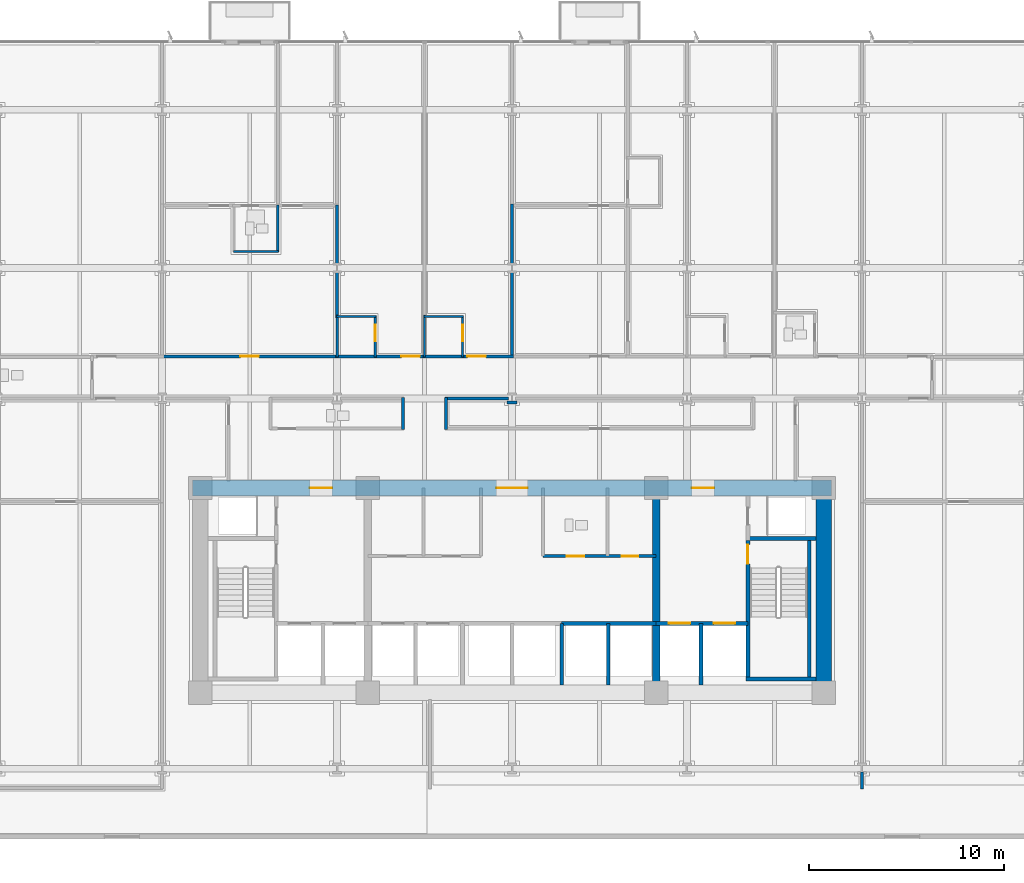
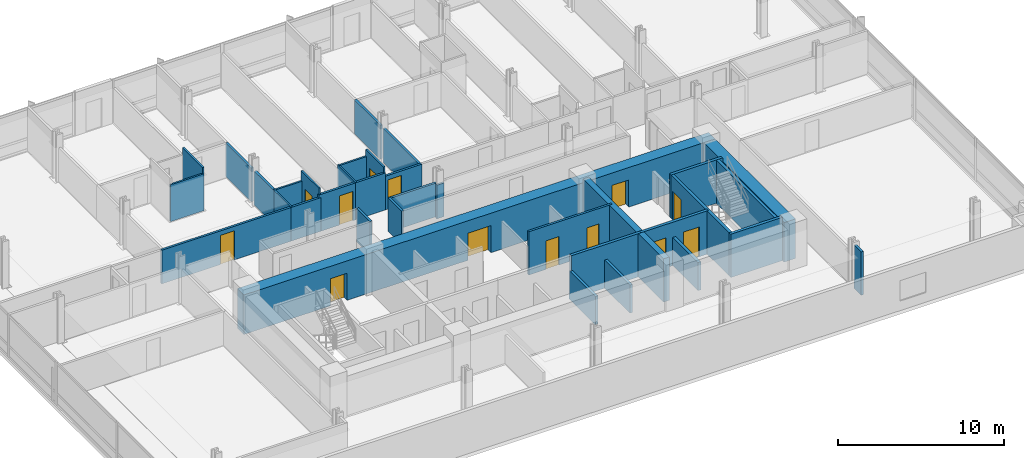
# One storey, part 9 of 15: 35 walls, 13 doors, 13 openings.
"""IFC4 building model written with IfcOpenShell, lengths in metres."""

from ifc_helpers import new_model, si_unit, direction, frame, frame_2d, origin, place, context, subcontext, project, spatial, rectangle, extrude, material, layer, layer_set, type_object, element, fill, save


model = new_model("IFC4")

# Units and contexts
model_context = context("Model", 3, precision=1e-05, world=origin(), true_north=direction((0.0, 1.0)))
body_context = subcontext(model_context, "Body", "Model", "MODEL_VIEW")
ifc_project = project(units=[si_unit("LENGTHUNIT", "METRE"), si_unit("AREAUNIT", "SQUARE_METRE"), si_unit("VOLUMEUNIT", "CUBIC_METRE"), si_unit("PLANEANGLEUNIT", "RADIAN"), si_unit("MASSUNIT", "GRAM", prefix="KILO")], contexts=[model_context])

# Site, building, storey
site_placement = place(None, origin())
site = spatial("IfcSite", under=ifc_project, at=site_placement, CompositionType="ELEMENT")
building_placement = place(site_placement, origin())
building = spatial("IfcBuilding", under=site, at=building_placement, Name="Solmavex Isthmus Hotel", CompositionType="ELEMENT")
storey_placement = place(building_placement, frame((0.0, 0.0, 64.35009765625)))
storey = spatial("IfcBuildingStorey", under=building, at=storey_placement, Name="L17", CompositionType="ELEMENT", Elevation=64.35009765625)

# Walls
ifc_material_1 = material(Name="Gypsum plasterboard lining", Category="gypsum")
ifc_layer_1 = layer(ifc_material_1, 0.159912109375)
ifc_layer_set_1 = layer_set([ifc_layer_1], Name="Gypsum plasterboard lining")
wall_type_1 = type_object("IfcWallType", Name="IW-COMP-160", PredefinedType="PARTITIONING", material=ifc_layer_set_1)
wall_1_placement = place(storey_placement, frame((-8.97607421875, 8.613037109375, 0.0), z_axis=(0.0, 0.0, 1.0), x_axis=(0.0, -1.0, 0.0)))
element("IfcWall", 1, at=wall_1_placement, inside=storey, type_object=wall_type_1, Name="Interior Partition Wall W-L17-P046", PredefinedType="PARTITIONING", context=body_context, shape_type="SweptSolid", body=[
    extrude(rectangle(XDim=2.39501953125, YDim=0.159912109375, at=frame_2d((1.197509765625, 0.0))), origin(), (0.0, 0.0, 1.0), 2.4794921875),
])
wall_2_placement = place(storey_placement, frame((-8.97607421875, 12.028076171875, 0.0), z_axis=(0.0, 0.0, 1.0), x_axis=(0.0, -1.0, 0.0)))
element("IfcWall", 2, at=wall_2_placement, inside=storey, type_object=wall_type_1, Name="Interior Partition Wall W-L17-P047", PredefinedType="PARTITIONING", context=body_context, shape_type="SweptSolid", body=[
    extrude(rectangle(XDim=3.065185546875, YDim=0.159912109375, at=frame_2d((1.53271484375, 0.0))), origin(), (0.0, 0.0, 1.0), 2.4794921875),
])
wall_3_placement = place(storey_placement, frame((0.0, 8.613037109375, 0.0), z_axis=(0.0, 0.0, 1.0), x_axis=(0.0, -1.0, 0.0)))
element("IfcWall", 3, at=wall_3_placement, inside=storey, type_object=wall_type_1, Name="Interior Partition Wall W-L17-P059", PredefinedType="PARTITIONING", context=body_context, shape_type="SweptSolid", body=[
    extrude(rectangle(XDim=4.403076171875, YDim=0.159912109375, at=frame_2d((2.20166015625, 0.0))), origin(), (0.0, 0.0, 1.0), 2.4794921875),
])
wall_4_placement = place(storey_placement, frame((0.0, 12.070068359375, 0.0), z_axis=(0.0, 0.0, 1.0), x_axis=(0.0, -1.0, 0.0)))
element("IfcWall", 4, at=wall_4_placement, inside=storey, type_object=wall_type_1, Name="Interior Partition Wall W-L17-P060", PredefinedType="PARTITIONING", context=body_context, shape_type="SweptSolid", body=[
    extrude(rectangle(XDim=3.107177734375, YDim=0.159912109375, at=frame_2d((1.5537109375, 0.0))), origin(), (0.0, 0.0, 1.0), 2.4794921875),
])
wall_5_placement = place(storey_placement, frame((17.951904296875, -17.074951171875, 0.0), z_axis=(0.0, 0.0, 1.0), x_axis=(0.0, -1.0, 0.0)))
element("IfcWall", 5, at=wall_5_placement, inside=storey, type_object=wall_type_1, Name="Interior Partition Wall W-L17-P093", PredefinedType="PARTITIONING", context=body_context, shape_type="SweptSolid", body=[
    extrude(rectangle(XDim=0.864990234375, YDim=0.159912109375, at=frame_2d((0.4326171875, 0.0))), origin(), (0.0, 0.0, 1.0), 3.18994140625),
])

# Wall, openings, doors
ifc_layer_2 = layer(ifc_material_1, 0.14990234375)
ifc_layer_set_2 = layer_set([ifc_layer_2], Name="Gypsum plasterboard lining")
wall_type_2 = type_object("IfcWallType", Name="IW-CORR-150", PredefinedType="PARTITIONING", material=ifc_layer_set_2)
wall_6_placement = place(storey_placement, frame((1.60009765625, -6.0, 0.0), z_axis=(0.0, 0.0, 1.0), x_axis=(1.0, 0.0, 0.0)))
wall_6 = element("IfcWall", 6, at=wall_6_placement, inside=storey, type_object=wall_type_2, Name="Interior Partition Wall W-L17-BOH-ES", PredefinedType="PARTITIONING", context=body_context, shape_type="SweptSolid", body=[
    extrude(rectangle(XDim=5.7998046875, YDim=0.14990234375, at=frame_2d((2.89990234375, 0.0))), origin(), (0.0, 0.0, 1.0), 3.18994140625),
])
opening_1_placement = place(wall_6_placement, frame((1.199951171875, 0.0, 0.0)))
opening_1 = element("IfcOpeningElement", 7, at=opening_1_placement, cuts=wall_6, Name="Opening ID-C090", PredefinedType="OPENING", context=body_context, shape_type="SweptSolid", body=[
    extrude(rectangle(XDim=0.89990234375, YDim=2.10009765625, at=frame_2d((0.449951171875, 1.050048828125))), frame((0.0, 0.0849609375, 0.0), z_axis=(0.0, -1.0, 0.0), x_axis=(1.0, 0.0, 0.0)), (0.0, 0.0, 1.0), 0.169921875),
])
opening_2_placement = place(wall_6_placement, frame((4.02490234375, 0.0, 0.0)))
opening_2 = element("IfcOpeningElement", 8, at=opening_2_placement, cuts=wall_6, Name="Opening ID-R085", PredefinedType="OPENING", context=body_context, shape_type="SweptSolid", body=[
    extrude(rectangle(XDim=0.85009765625, YDim=2.050048828125, at=frame_2d((0.425048828125, 1.02490234375))), frame((0.0, 0.0849609375, 0.0), z_axis=(0.0, -1.0, 0.0), x_axis=(1.0, 0.0, 0.0)), (0.0, 0.0, 1.0), 0.169921875),
])
ifc_material_2 = material(Name="Steel ASTM A500 Grade C", Category="steel")
door_type_1 = type_object("IfcDoorType", Name="IDR-FD60-0850", OperationType="NOTDEFINED", PredefinedType="DOOR", material=ifc_material_2)
door_1_placement = place(opening_2_placement, frame((0.85009765625, 0.0, 0.0), z_axis=(0.0, 0.0, 1.0), x_axis=(-1.0, 0.0, 0.0)))
door_1 = element("IfcDoor", 9, at=door_1_placement, inside=storey, type_object=door_type_1, Name="IT Room Door L17", OperationType="SINGLE_SWING_RIGHT", OverallHeight=2.050048828125, OverallWidth=0.85009765625, PredefinedType="DOOR", context=body_context, shape_type="SweptSolid", body=[
    extrude(rectangle(XDim=0.85009765625, YDim=2.050048828125, at=frame_2d((0.425048828125, 1.02490234375))), frame((0.0, 0.02490234375, 0.0), z_axis=(0.0, -1.0, 0.0), x_axis=(1.0, 0.0, 0.0)), (0.0, 0.0, 1.0), 0.050048828125),
])
fill(opening_2, door_1)
ifc_material_3 = material(Name="Hardwood timber", Category="wood")
door_type_2 = type_object("IfcDoorType", Name="IDR-FD60-0900", OperationType="NOTDEFINED", PredefinedType="DOOR", material=ifc_material_3)
door_2_placement = place(opening_1_placement, frame((0.89990234375, 0.0, 0.0), z_axis=(0.0, 0.0, 1.0), x_axis=(-1.0, 0.0, 0.0)))
door_2 = element("IfcDoor", 10, at=door_2_placement, inside=storey, type_object=door_type_2, Name="Staff Restroom Door L17", OperationType="SINGLE_SWING_LEFT", OverallHeight=2.10009765625, OverallWidth=0.89990234375, PredefinedType="DOOR", context=body_context, shape_type="SweptSolid", body=[
    extrude(rectangle(XDim=0.89990234375, YDim=2.10009765625, at=frame_2d((0.449951171875, 1.050048828125))), frame((0.0, 0.02490234375, 0.0), z_axis=(0.0, -1.0, 0.0), x_axis=(1.0, 0.0, 0.0)), (0.0, 0.0, 1.0), 0.050048828125),
])
fill(opening_1, door_2)

# Wall, opening, door
wall_7_placement = place(storey_placement, frame((-18.033935546875, 4.25, 0.0), z_axis=(0.0, 0.0, 1.0), x_axis=(1.0, 0.0, 0.0)))
wall_7 = element("IfcWall", 11, at=wall_7_placement, inside=storey, type_object=wall_type_2, Name="Interior Partition Wall W-L17-P002", PredefinedType="PARTITIONING", context=body_context, shape_type="SweptSolid", body=[
    extrude(rectangle(XDim=9.139892578125, YDim=0.14990234375, at=frame_2d((4.56982421875, 0.0))), origin(), (0.0, 0.0, 1.0), 2.4794921875),
])
opening_3_placement = place(wall_7_placement, frame((4.094970703125, 0.0, 0.0)))
opening_3 = element("IfcOpeningElement", 12, at=opening_3_placement, cuts=wall_7, Name="Opening ID-C095", PredefinedType="OPENING", context=body_context, shape_type="SweptSolid", body=[
    extrude(rectangle(XDim=0.949951171875, YDim=2.14990234375, at=frame_2d((0.47509765625, 1.074951171875))), frame((0.0, 0.0849609375, 0.0), z_axis=(0.0, -1.0, 0.0), x_axis=(1.0, 0.0, 0.0)), (0.0, 0.0, 1.0), 0.169921875),
])
door_type_3 = type_object("IfcDoorType", Name="IDR-FD60-0950", OperationType="NOTDEFINED", PredefinedType="DOOR", material=ifc_material_3)
door_3_placement = place(opening_3_placement, origin())
door_3 = element("IfcDoor", 13, at=door_3_placement, inside=storey, type_object=door_type_3, Name="Ambassador Suite Reception Foyer Door L17-02", OperationType="SINGLE_SWING_RIGHT", OverallHeight=2.14990234375, OverallWidth=0.949951171875, PredefinedType="DOOR", context=body_context, shape_type="SweptSolid", body=[
    extrude(rectangle(XDim=0.949951171875, YDim=2.14990234375, at=frame_2d((0.47509765625, 1.074951171875))), frame((0.0, 0.02490234375, 0.0), z_axis=(0.0, -1.0, 0.0), x_axis=(1.0, 0.0, 0.0)), (0.0, 0.0, 1.0), 0.050048828125),
])
fill(opening_3, door_3)

wall_8_placement = place(storey_placement, frame((-7.10791015625, 4.25, 0.0), z_axis=(0.0, 0.0, 1.0), x_axis=(1.0, 0.0, 0.0)))
wall_8 = element("IfcWall", 14, at=wall_8_placement, inside=storey, type_object=wall_type_2, Name="Interior Partition Wall W-L17-P003", PredefinedType="PARTITIONING", context=body_context, shape_type="SweptSolid", body=[
    extrude(rectangle(XDim=2.701904296875, YDim=0.14990234375, at=frame_2d((1.35107421875, 0.0))), origin(), (0.0, 0.0, 1.0), 2.718017578125),
])
opening_4_placement = place(wall_8_placement, frame((1.426513671875, 0.0, 0.0)))
opening_4 = element("IfcOpeningElement", 15, at=opening_4_placement, cuts=wall_8, Name="Opening ID-C095", PredefinedType="OPENING", context=body_context, shape_type="SweptSolid", body=[
    extrude(rectangle(XDim=0.949951171875, YDim=2.14990234375, at=frame_2d((0.47509765625, 1.074951171875))), frame((0.0, 0.0849609375, 0.0), z_axis=(0.0, -1.0, 0.0), x_axis=(1.0, 0.0, 0.0)), (0.0, 0.0, 1.0), 0.169921875),
])
door_4_placement = place(opening_4_placement, origin())
door_4 = element("IfcDoor", 16, at=door_4_placement, inside=storey, type_object=door_type_3, Name="Deluxe Guest Room Door L17-06", OperationType="SINGLE_SWING_RIGHT", OverallHeight=2.14990234375, OverallWidth=0.949951171875, PredefinedType="DOOR", context=body_context, shape_type="SweptSolid", body=[
    extrude(rectangle(XDim=0.949951171875, YDim=2.14990234375, at=frame_2d((0.47509765625, 1.074951171875))), frame((0.0, 0.02490234375, 0.0), z_axis=(0.0, -1.0, 0.0), x_axis=(1.0, 0.0, 0.0)), (0.0, 0.0, 1.0), 0.050048828125),
])
fill(opening_4, door_4)

# Wall
wall_9_placement = place(storey_placement, frame((-9.05810546875, 4.25, 0.0), z_axis=(0.0, 0.0, 1.0), x_axis=(1.0, 0.0, 0.0)))
element("IfcWall", 17, at=wall_9_placement, inside=storey, type_object=wall_type_2, Name="Interior Partition Wall W-L17-P004", PredefinedType="PARTITIONING", context=body_context, shape_type="SweptSolid", body=[
    extrude(rectangle(XDim=2.114013671875, YDim=0.14990234375, at=frame_2d((1.05712890625, 0.0))), origin(), (0.0, 0.0, 1.0), 2.4794921875),
])

# Wall, opening, door
wall_10_placement = place(storey_placement, frame((-2.6201171875, 4.25, 0.0), z_axis=(0.0, 0.0, 1.0), x_axis=(1.0, 0.0, 0.0)))
wall_10 = element("IfcWall", 18, at=wall_10_placement, inside=storey, type_object=wall_type_2, Name="Interior Partition Wall W-L17-P005", PredefinedType="PARTITIONING", context=body_context, shape_type="SweptSolid", body=[
    extrude(rectangle(XDim=2.7021484375, YDim=0.14990234375, at=frame_2d((1.35107421875, 0.0))), origin(), (0.0, 0.0, 1.0), 2.4794921875),
])
opening_5_placement = place(wall_10_placement, frame((0.325439453125, 0.0, 0.0)))
opening_5 = element("IfcOpeningElement", 19, at=opening_5_placement, cuts=wall_10, Name="Opening ID-C095", PredefinedType="OPENING", context=body_context, shape_type="SweptSolid", body=[
    extrude(rectangle(XDim=0.949951171875, YDim=2.14990234375, at=frame_2d((0.47509765625, 1.074951171875))), frame((0.0, 0.0849609375, 0.0), z_axis=(0.0, -1.0, 0.0), x_axis=(1.0, 0.0, 0.0)), (0.0, 0.0, 1.0), 0.169921875),
])
door_5_placement = place(opening_5_placement, origin())
door_5 = element("IfcDoor", 20, at=door_5_placement, inside=storey, type_object=door_type_3, Name="Twin Guest Room Door L17-08", OperationType="SINGLE_SWING_RIGHT", OverallHeight=2.14990234375, OverallWidth=0.949951171875, PredefinedType="DOOR", context=body_context, shape_type="SweptSolid", body=[
    extrude(rectangle(XDim=0.949951171875, YDim=2.14990234375, at=frame_2d((0.47509765625, 1.074951171875))), frame((0.0, 0.02490234375, 0.0), z_axis=(0.0, -1.0, 0.0), x_axis=(1.0, 0.0, 0.0)), (0.0, 0.0, 1.0), 0.050048828125),
])
fill(opening_5, door_5)

# Walls
wall_11_placement = place(storey_placement, frame((-4.570068359375, 4.25, 0.0), z_axis=(0.0, 0.0, 1.0), x_axis=(1.0, 0.0, 0.0)))
element("IfcWall", 21, at=wall_11_placement, inside=storey, type_object=wall_type_2, Name="Interior Partition Wall W-L17-P006", PredefinedType="PARTITIONING", context=body_context, shape_type="SweptSolid", body=[
    extrude(rectangle(XDim=2.114013671875, YDim=0.14990234375, at=frame_2d((1.05712890625, 0.0))), origin(), (0.0, 0.0, 1.0), 2.718017578125),
])
wall_12_placement = place(storey_placement, frame((-5.587890625, 0.510009765625, 0.0), z_axis=(0.0, 0.0, 1.0), x_axis=(0.0, 1.0, 0.0)))
element("IfcWall", 22, at=wall_12_placement, inside=storey, type_object=wall_type_2, Name="Interior Partition Wall W-L17-P018", PredefinedType="PARTITIONING", context=body_context, shape_type="SweptSolid", body=[
    extrude(rectangle(XDim=1.6298828125, YDim=0.14990234375, at=frame_2d((0.81494140625, 0.0))), origin(), (0.0, 0.0, 1.0), 2.4794921875),
])
wall_13_placement = place(storey_placement, frame((0.2548828125, 1.885009765625, 0.0), z_axis=(0.0, 0.0, 1.0), x_axis=(-1.0, 0.0, 0.0)))
element("IfcWall", 23, at=wall_13_placement, inside=storey, type_object=wall_type_2, Name="Interior Partition Wall W-L17-P023", PredefinedType="PARTITIONING", context=body_context, shape_type="SweptSolid", body=[
    extrude(rectangle(XDim=0.509765625, YDim=0.14990234375, at=frame_2d((0.2548828125, 0.0))), origin(), (0.0, 0.0, 1.0), 2.4794921875),
])
wall_14_placement = place(storey_placement, frame((-0.175048828125, 2.10009765625, 0.0), z_axis=(0.0, 0.0, 1.0), x_axis=(-1.0, 0.0, 0.0)))
element("IfcWall", 24, at=wall_14_placement, inside=storey, type_object=wall_type_2, Name="Interior Partition Wall W-L17-P024", PredefinedType="PARTITIONING", context=body_context, shape_type="SweptSolid", body=[
    extrude(rectangle(XDim=3.2529296875, YDim=0.14990234375, at=frame_2d((1.62646484375, 0.0))), origin(), (0.0, 0.0, 1.0), 2.4794921875),
])
wall_15_placement = place(storey_placement, frame((-3.387939453125, 2.139892578125, 0.0), z_axis=(0.0, 0.0, 1.0), x_axis=(0.0, -1.0, 0.0)))
element("IfcWall", 25, at=wall_15_placement, inside=storey, type_object=wall_type_2, Name="Interior Partition Wall W-L17-P025", PredefinedType="PARTITIONING", context=body_context, shape_type="SweptSolid", body=[
    extrude(rectangle(XDim=1.6298828125, YDim=0.14990234375, at=frame_2d((0.81494140625, 0.0))), origin(), (0.0, 0.0, 1.0), 2.4794921875),
])
ifc_layer_3 = layer(ifc_material_1, 0.1201171875)
ifc_layer_set_3 = layer_set([ifc_layer_3], Name="Gypsum plasterboard lining")
wall_type_3 = type_object("IfcWallType", Name="IW-PART-120", PredefinedType="PARTITIONING", material=ifc_layer_set_3)
wall_16_placement = place(storey_placement, frame((-14.303955078125, 9.637939453125, 0.0), z_axis=(0.0, 0.0, 1.0), x_axis=(1.0, 0.0, 0.0)))
element("IfcWall", 26, at=wall_16_placement, inside=storey, type_object=wall_type_3, Name="Interior Partition Wall W-L17-P044", PredefinedType="PARTITIONING", context=body_context, shape_type="SweptSolid", body=[
    extrude(rectangle(XDim=2.329833984375, YDim=0.1201171875, at=frame_2d((1.1650390625, 0.0))), origin(), (0.0, 0.0, 1.0), 2.718017578125),
])
wall_17_placement = place(storey_placement, frame((-12.013916015625, 9.597900390625, 0.0), z_axis=(0.0, 0.0, 1.0), x_axis=(0.0, 1.0, 0.0)))
element("IfcWall", 27, at=wall_17_placement, inside=storey, type_object=wall_type_3, Name="Interior Partition Wall W-L17-P045", PredefinedType="PARTITIONING", context=body_context, shape_type="SweptSolid", body=[
    extrude(rectangle(XDim=2.43017578125, YDim=0.1201171875, at=frame_2d((1.215087890625, 0.0))), origin(), (0.0, 0.0, 1.0), 3.18994140625),
])
wall_18_placement = place(storey_placement, frame((-8.97607421875, 6.382080078125, 0.0), z_axis=(0.0, 0.0, 1.0), x_axis=(0.0, -1.0, 0.0)))
element("IfcWall", 28, at=wall_18_placement, inside=storey, type_object=wall_type_3, Name="Interior Partition Wall W-L17-P048", PredefinedType="PARTITIONING", context=body_context, shape_type="SweptSolid", body=[
    extrude(rectangle(XDim=2.172119140625, YDim=0.1201171875, at=frame_2d((1.0859375, 0.0))), origin(), (0.0, 0.0, 1.0), 2.4794921875),
])

# Wall, opening, door
wall_19_placement = place(storey_placement, frame((-7.02587890625, 4.2099609375, 0.0), z_axis=(0.0, 0.0, 1.0), x_axis=(0.0, 1.0, 0.0)))
wall_19 = element("IfcWall", 29, at=wall_19_placement, inside=storey, type_object=wall_type_3, Name="Interior Partition Wall W-L17-P053", PredefinedType="PARTITIONING", context=body_context, shape_type="SweptSolid", body=[
    extrude(rectangle(XDim=2.130126953125, YDim=0.1201171875, at=frame_2d((1.06494140625, 0.0))), origin(), (0.0, 0.0, 1.0), 3.18994140625),
])
opening_6_placement = place(wall_19_placement, frame((0.812255859375, 0.0, 0.0)))
opening_6 = element("IfcOpeningElement", 30, at=opening_6_placement, cuts=wall_19, Name="Opening ID-U085", PredefinedType="OPENING", context=body_context, shape_type="SweptSolid", body=[
    extrude(rectangle(XDim=0.85009765625, YDim=2.10009765625, at=frame_2d((0.425048828125, 1.050048828125))), frame((0.0, 0.070068359375, 0.0), z_axis=(0.0, -1.0, 0.0), x_axis=(1.0, 0.0, 0.0)), (0.0, 0.0, 1.0), 0.14013671875),
])
door_type_4 = type_object("IfcDoorType", Name="IDR-UNR-0850", OperationType="NOTDEFINED", PredefinedType="DOOR", material=ifc_material_3)
door_6_placement = place(opening_6_placement, frame((0.85009765625, 0.0, 0.0), z_axis=(0.0, 0.0, 1.0), x_axis=(-1.0, 0.0, 0.0)))
door_6 = element("IfcDoor", 31, at=door_6_placement, inside=storey, type_object=door_type_4, Name="En-suite Bathroom Door L17-07", OperationType="SINGLE_SWING_LEFT", OverallHeight=2.10009765625, OverallWidth=0.85009765625, PredefinedType="DOOR", context=body_context, shape_type="SweptSolid", body=[
    extrude(rectangle(XDim=0.85009765625, YDim=2.10009765625, at=frame_2d((0.425048828125, 1.050048828125))), frame((0.0, 0.02490234375, 0.0), z_axis=(0.0, -1.0, 0.0), x_axis=(1.0, 0.0, 0.0)), (0.0, 0.0, 1.0), 0.050048828125),
])
fill(opening_6, door_6)

# Walls
wall_20_placement = place(storey_placement, frame((-6.986083984375, 6.300048828125, 0.0), z_axis=(0.0, 0.0, 1.0), x_axis=(-1.0, 0.0, 0.0)))
element("IfcWall", 32, at=wall_20_placement, inside=storey, type_object=wall_type_3, Name="Interior Partition Wall W-L17-P054", PredefinedType="PARTITIONING", context=body_context, shape_type="SweptSolid", body=[
    extrude(rectangle(XDim=2.030029296875, YDim=0.1201171875, at=frame_2d((1.01513671875, 0.0))), origin(), (0.0, 0.0, 1.0), 2.4794921875),
])
wall_21_placement = place(storey_placement, frame((-4.488037109375, 6.382080078125, 0.0), z_axis=(0.0, 0.0, 1.0), x_axis=(0.0, -1.0, 0.0)))
element("IfcWall", 33, at=wall_21_placement, inside=storey, type_object=wall_type_3, Name="Interior Partition Wall W-L17-P056", PredefinedType="PARTITIONING", context=body_context, shape_type="SweptSolid", body=[
    extrude(rectangle(XDim=2.172119140625, YDim=0.1201171875, at=frame_2d((1.0859375, 0.0))), origin(), (0.0, 0.0, 1.0), 2.718017578125),
])

# Wall, opening, door
wall_22_placement = place(storey_placement, frame((-2.5380859375, 4.2099609375, 0.0), z_axis=(0.0, 0.0, 1.0), x_axis=(0.0, 1.0, 0.0)))
wall_22 = element("IfcWall", 34, at=wall_22_placement, inside=storey, type_object=wall_type_3, Name="Interior Partition Wall W-L17-P057", PredefinedType="PARTITIONING", context=body_context, shape_type="SweptSolid", body=[
    extrude(rectangle(XDim=2.130126953125, YDim=0.1201171875, at=frame_2d((1.06494140625, 0.0))), origin(), (0.0, 0.0, 1.0), 3.18994140625),
])
opening_7_placement = place(wall_22_placement, frame((0.812255859375, 0.0, 0.0)))
opening_7 = element("IfcOpeningElement", 35, at=opening_7_placement, cuts=wall_22, Name="Opening ID-U085", PredefinedType="OPENING", context=body_context, shape_type="SweptSolid", body=[
    extrude(rectangle(XDim=0.85009765625, YDim=2.10009765625, at=frame_2d((0.425048828125, 1.050048828125))), frame((0.0, 0.070068359375, 0.0), z_axis=(0.0, -1.0, 0.0), x_axis=(1.0, 0.0, 0.0)), (0.0, 0.0, 1.0), 0.14013671875),
])
door_7_placement = place(opening_7_placement, origin())
door_7 = element("IfcDoor", 36, at=door_7_placement, inside=storey, type_object=door_type_4, Name="En-suite Bathroom Door L17-09", OperationType="SINGLE_SWING_LEFT", OverallHeight=2.10009765625, OverallWidth=0.85009765625, PredefinedType="DOOR", context=body_context, shape_type="SweptSolid", body=[
    extrude(rectangle(XDim=0.85009765625, YDim=2.10009765625, at=frame_2d((0.425048828125, 1.050048828125))), frame((0.0, 0.02490234375, 0.0), z_axis=(0.0, -1.0, 0.0), x_axis=(1.0, 0.0, 0.0)), (0.0, 0.0, 1.0), 0.050048828125),
])
fill(opening_7, door_7)

# Walls
wall_23_placement = place(storey_placement, frame((-2.498046875, 6.300048828125, 0.0), z_axis=(0.0, 0.0, 1.0), x_axis=(-1.0, 0.0, 0.0)))
element("IfcWall", 37, at=wall_23_placement, inside=storey, type_object=wall_type_3, Name="Interior Partition Wall W-L17-P058", PredefinedType="PARTITIONING", context=body_context, shape_type="SweptSolid", body=[
    extrude(rectangle(XDim=2.030029296875, YDim=0.1201171875, at=frame_2d((1.01513671875, 0.0))), origin(), (0.0, 0.0, 1.0), 2.718017578125),
])
ifc_material_4 = material(Name="Concrete C40/50", Category="concrete")
ifc_layer_4 = layer(ifc_material_4, 0.179931640625)
ifc_layer_set_4 = layer_set([ifc_layer_4], Name="Concrete C40/50")
wall_type_4 = type_object("IfcWallType", Name="IW-SHAFT-180", PredefinedType="PARTITIONING", material=ifc_layer_set_4)
wall_24_placement = place(storey_placement, frame((4.949951171875, -12.60009765625, 0.0), z_axis=(0.0, 0.0, 1.0), x_axis=(0.0, 1.0, 0.0)))
element("IfcWall", 38, at=wall_24_placement, inside=storey, type_object=wall_type_4, Name="Interior Partition Wall W-L17-SH-PLH-M", PredefinedType="PARTITIONING", context=body_context, shape_type="SweptSolid", body=[
    extrude(rectangle(XDim=3.150146484375, YDim=0.179931640625, at=frame_2d((1.5751953125, 0.0))), origin(), (0.0, 0.0, 1.0), 2.074951171875),
])

# Wall, openings, doors
ifc_layer_5 = layer(ifc_material_4, 0.199951171875)
ifc_layer_set_5 = layer_set([ifc_layer_5], Name="Concrete C40/50")
wall_type_5 = type_object("IfcWallType", Name="IW-SHAFT-200", PredefinedType="PARTITIONING", material=ifc_layer_set_5)
wall_25_placement = place(storey_placement, frame((7.39990234375, -9.449951171875, 0.0), z_axis=(0.0, 0.0, 1.0), x_axis=(1.0, 0.0, 0.0)))
wall_25 = element("IfcWall", 39, at=wall_25_placement, inside=storey, type_object=wall_type_5, Name="Interior Partition Wall W-L17-FFLE-S", PredefinedType="PARTITIONING", context=body_context, shape_type="SweptSolid", body=[
    extrude(rectangle(XDim=4.7001953125, YDim=0.199951171875, at=frame_2d((2.35009765625, 0.0))), origin(), (0.0, 0.0, 1.0), 3.18994140625),
])
opening_8_placement = place(wall_25_placement, frame((2.949951171875, 0.0, 0.0)))
opening_8 = element("IfcOpeningElement", 40, at=opening_8_placement, cuts=wall_25, Name="Opening LD-FF", PredefinedType="OPENING", context=body_context, shape_type="SweptSolid", body=[
    extrude(rectangle(XDim=1.10009765625, YDim=2.199951171875, at=frame_2d((0.550048828125, 1.10009765625))), frame((0.0, 0.10986328125, 0.0), z_axis=(0.0, -1.0, 0.0), x_axis=(1.0, 0.0, 0.0)), (0.0, 0.0, 1.0), 0.219970703125),
])
opening_9_placement = place(wall_25_placement, frame((0.64990234375, 0.0, 0.0)))
opening_9 = element("IfcOpeningElement", 41, at=opening_9_placement, cuts=wall_25, Name="Opening LD-SV", PredefinedType="OPENING", context=body_context, shape_type="SweptSolid", body=[
    extrude(rectangle(XDim=1.10009765625, YDim=2.199951171875, at=frame_2d((0.550048828125, 1.10009765625))), frame((0.0, 0.10986328125, 0.0), z_axis=(0.0, -1.0, 0.0), x_axis=(1.0, 0.0, 0.0)), (0.0, 0.0, 1.0), 0.219970703125),
])
ifc_material_5 = material(Name="Stainless steel 316", Category="steel")
door_type_5 = type_object("IfcDoorType", Name="LDR-FF-1100", OperationType="NOTDEFINED", PredefinedType="DOOR", material=ifc_material_5)
door_8_placement = place(opening_8_placement, origin())
door_8 = element("IfcDoor", 42, at=door_8_placement, inside=storey, type_object=door_type_5, Name="Lift Landing Door FFL-2 L17", OperationType="SLIDING_TO_LEFT", OverallHeight=2.199951171875, OverallWidth=1.10009765625, PredefinedType="DOOR", context=body_context, shape_type="SweptSolid", body=[
    extrude(rectangle(XDim=1.10009765625, YDim=2.199951171875, at=frame_2d((0.550048828125, 1.10009765625))), frame((0.0, 0.02490234375, 0.0), z_axis=(0.0, -1.0, 0.0), x_axis=(1.0, 0.0, 0.0)), (0.0, 0.0, 1.0), 0.050048828125),
])
fill(opening_8, door_8)
door_type_6 = type_object("IfcDoorType", Name="LDR-SV-1100", OperationType="NOTDEFINED", PredefinedType="DOOR", material=ifc_material_5)
door_9_placement = place(opening_9_placement, origin())
door_9 = element("IfcDoor", 43, at=door_9_placement, inside=storey, type_object=door_type_6, Name="Lift Landing Door SVL-2 L17", OperationType="SLIDING_TO_RIGHT", OverallHeight=2.199951171875, OverallWidth=1.10009765625, PredefinedType="DOOR", context=body_context, shape_type="SweptSolid", body=[
    extrude(rectangle(XDim=1.10009765625, YDim=2.199951171875, at=frame_2d((0.550048828125, 1.10009765625))), frame((0.0, 0.02490234375, 0.0), z_axis=(0.0, -1.0, 0.0), x_axis=(1.0, 0.0, 0.0)), (0.0, 0.0, 1.0), 0.050048828125),
])
fill(opening_9, door_9)

# Walls
for number, where, z_axis, x_axis, name in (
    (44, (9.699951171875, -12.60009765625, 0.0), (0.0, 0.0, 1.0), (0.0, 1.0, 0.0), "Interior Partition Wall W-L17-FFLE-M"),
    (45, (2.550048828125, -12.60009765625, 0.0), (0.0, 0.0, 1.0), (0.0, 1.0, 0.0), "Interior Partition Wall W-L17-SH-PLM-E"),
):
    element("IfcWall", number, at=place(storey_placement, frame(where, z_axis=z_axis, x_axis=x_axis)), inside=storey, type_object=wall_type_5, Name=name, PredefinedType="PARTITIONING", context=body_context, shape_type="SweptSolid", body=[
        extrude(rectangle(XDim=3.150146484375, YDim=0.199951171875, at=frame_2d((1.5751953125, 0.0))), origin(), (0.0, 0.0, 1.0), 2.074951171875),
    ])
wall_26_placement = place(storey_placement, frame((2.550048828125, -9.449951171875, 0.0), z_axis=(0.0, 0.0, 1.0), x_axis=(1.0, 0.0, 0.0)))
element("IfcWall", 46, at=wall_26_placement, inside=storey, type_object=wall_type_5, Name="Interior Partition Wall W-L17-SH-PLH", PredefinedType="PARTITIONING", context=body_context, shape_type="SweptSolid", body=[
    extrude(rectangle(XDim=4.849853515625, YDim=0.199951171875, at=frame_2d((2.4248046875, 0.0))), origin(), (0.0, 0.0, 1.0), 3.18994140625),
])
ifc_material_6 = material(Name="Concrete C70/85", Category="concrete")
ifc_layer_6 = layer(ifc_material_6, 0.39990234375)
ifc_layer_set_6 = layer_set([ifc_layer_6], Name="Concrete C70/85")
wall_type_6 = type_object("IfcWallType", Name="WALL-CW-400L", PredefinedType="SHEAR", material=ifc_layer_set_6)
wall_27_placement = place(storey_placement, frame((7.39990234375, -12.60009765625, 0.0), z_axis=(0.0, 0.0, 1.0), x_axis=(0.0, 1.0, 0.0)))
element("IfcWall", 47, at=wall_27_placement, inside=storey, type_object=wall_type_6, Name="Core Cross Shear Wall C2 L17", PredefinedType="SHEAR", context=body_context, shape_type="SweptSolid", body=[
    extrude(rectangle(XDim=9.7001953125, YDim=0.39990234375, at=frame_2d((4.85009765625, 0.0))), origin(), (0.0, 0.0, 1.0), 3.18994140625),
])

# Wall, openings, doors
ifc_layer_7 = layer(ifc_material_6, 0.800048828125)
ifc_layer_set_7 = layer_set([ifc_layer_7], Name="Concrete C70/85")
wall_type_7 = type_object("IfcWallType", Name="WALL-CW-800", PredefinedType="SHEAR", material=ifc_layer_set_7)
wall_28_placement = place(storey_placement, frame((-16.39990234375, -2.5, 0.0), z_axis=(0.0, 0.0, 1.0), x_axis=(1.0, 0.0, 0.0)))
wall_28 = element("IfcWall", 48, at=wall_28_placement, inside=storey, type_object=wall_type_7, Name="Core Shear Wall North L17", PredefinedType="SHEAR", context=body_context, shape_type="SweptSolid", body=[
    extrude(rectangle(XDim=32.7998046875, YDim=0.800048828125, at=frame_2d((16.39990234375, 0.0))), origin(), (0.0, 0.0, 1.0), 2.909912109375),
])
opening_10_placement = place(wall_28_placement, frame((6.02490234375, 0.0, 0.0)))
opening_10 = element("IfcOpeningElement", 49, at=opening_10_placement, cuts=wall_28, Name="Opening ID-F915", PredefinedType="OPENING", context=body_context, shape_type="SweptSolid", body=[
    extrude(rectangle(XDim=1.14990234375, YDim=2.0, at=frame_2d((0.574951171875, 1.0))), frame((0.0, 0.409912109375, 0.0), z_axis=(0.0, -1.0, 0.0), x_axis=(1.0, 0.0, 0.0)), (0.0, 0.0, 1.0), 0.820068359375),
])
opening_11_placement = place(wall_28_placement, frame((15.60009765625, 0.0, 0.0)))
opening_11 = element("IfcOpeningElement", 50, at=opening_11_placement, cuts=wall_28, Name="Opening ID-F960", PredefinedType="OPENING", context=body_context, shape_type="SweptSolid", body=[
    extrude(rectangle(XDim=1.60009765625, YDim=2.0, at=frame_2d((0.800048828125, 1.0))), frame((0.0, 0.409912109375, 0.0), z_axis=(0.0, -1.0, 0.0), x_axis=(1.0, 0.0, 0.0)), (0.0, 0.0, 1.0), 0.820068359375),
])
opening_12_placement = place(wall_28_placement, frame((25.625, 0.0, 0.0)))
opening_12 = element("IfcOpeningElement", 51, at=opening_12_placement, cuts=wall_28, Name="Opening ID-F915", PredefinedType="OPENING", context=body_context, shape_type="SweptSolid", body=[
    extrude(rectangle(XDim=1.14990234375, YDim=2.0, at=frame_2d((0.574951171875, 1.0))), frame((0.0, 0.409912109375, 0.0), z_axis=(0.0, -1.0, 0.0), x_axis=(1.0, 0.0, 0.0)), (0.0, 0.0, 1.0), 0.820068359375),
])
door_type_7 = type_object("IfcDoorType", Name="IDR-FD90-1150C", OperationType="NOTDEFINED", PredefinedType="DOOR", material=ifc_material_2)
door_10_placement = place(opening_10_placement, origin())
door_10 = element("IfcDoor", 52, at=door_10_placement, inside=storey, type_object=door_type_7, Name="Firefighting Lobby West Exit Door L17", OperationType="SINGLE_SWING_LEFT", OverallHeight=2.0, OverallWidth=1.14990234375, PredefinedType="DOOR", context=body_context, shape_type="SweptSolid", body=[
    extrude(rectangle(XDim=1.14990234375, YDim=2.0, at=frame_2d((0.574951171875, 1.0))), frame((0.0, 0.02490234375, 0.0), z_axis=(0.0, -1.0, 0.0), x_axis=(1.0, 0.0, 0.0)), (0.0, 0.0, 1.0), 0.050048828125),
])
fill(opening_10, door_10)
door_11_placement = place(opening_12_placement, origin())
door_11 = element("IfcDoor", 53, at=door_11_placement, inside=storey, type_object=door_type_7, Name="Firefighting Lobby East Exit Door L17", OperationType="SINGLE_SWING_RIGHT", OverallHeight=2.0, OverallWidth=1.14990234375, PredefinedType="DOOR", context=body_context, shape_type="SweptSolid", body=[
    extrude(rectangle(XDim=1.14990234375, YDim=2.0, at=frame_2d((0.574951171875, 1.0))), frame((0.0, 0.02490234375, 0.0), z_axis=(0.0, -1.0, 0.0), x_axis=(1.0, 0.0, 0.0)), (0.0, 0.0, 1.0), 0.050048828125),
])
fill(opening_12, door_11)
door_type_8 = type_object("IfcDoorType", Name="IDR-FD90-1600C", OperationType="NOTDEFINED", PredefinedType="DOOR", material=ifc_material_2)
door_12_placement = place(opening_11_placement, origin())
door_12 = element("IfcDoor", 54, at=door_12_placement, inside=storey, type_object=door_type_8, Name="Central Lift Lobby Door L17", OperationType="DOUBLE_DOOR_SINGLE_SWING", OverallHeight=2.0, OverallWidth=1.60009765625, PredefinedType="DOOR", context=body_context, shape_type="SweptSolid", body=[
    extrude(rectangle(XDim=1.60009765625, YDim=2.0, at=frame_2d((0.800048828125, 1.0))), frame((0.0, 0.02490234375, 0.0), z_axis=(0.0, -1.0, 0.0), x_axis=(1.0, 0.0, 0.0)), (0.0, 0.0, 1.0), 0.050048828125),
])
fill(opening_11, door_12)

# Walls
wall_29_placement = place(storey_placement, frame((16.0, -12.60009765625, 0.0), z_axis=(0.0, 0.0, 1.0), x_axis=(0.0, 1.0, 0.0)))
element("IfcWall", 55, at=wall_29_placement, inside=storey, type_object=wall_type_7, Name="Core Shear Wall East L17", PredefinedType="SHEAR", context=body_context, shape_type="SweptSolid", body=[
    extrude(rectangle(XDim=9.7001953125, YDim=0.800048828125, at=frame_2d((4.85009765625, 0.0))), origin(), (0.0, 0.0, 1.0), 2.909912109375),
])
ifc_layer_8 = layer(ifc_material_4, 0.199951171875)
ifc_layer_set_8 = layer_set([ifc_layer_8], Name="Concrete C40/50")
wall_type_8 = type_object("IfcWallType", Name="WALL-SW-200", PredefinedType="SOLIDWALL", material=ifc_layer_set_8)
for number, where, z_axis, x_axis, name in (
    (56, (12.0, -12.300048828125, 0.0), (0.0, 0.0, 1.0), (1.0, 0.0, 0.0), "Stairwell Structural Wall SW-L17-ST2-S"),
    (57, (12.0, -5.10009765625, 0.0), (0.0, 0.0, 1.0), (1.0, 0.0, 0.0), "Stairwell Structural Wall SW-L17-ST2-N"),
):
    element("IfcWall", number, at=place(storey_placement, frame(where, z_axis=z_axis, x_axis=x_axis)), inside=storey, type_object=wall_type_8, Name=name, PredefinedType="SOLIDWALL", context=body_context, shape_type="SweptSolid", body=[
        extrude(rectangle(XDim=3.60009765625, YDim=0.199951171875, at=frame_2d((1.800048828125, 0.0))), origin(), (0.0, 0.0, 1.0), 3.18994140625),
    ])

# Wall, opening, door
wall_30_placement = place(storey_placement, frame((12.10009765625, -12.199951171875, 0.0), z_axis=(0.0, 0.0, 1.0), x_axis=(0.0, 1.0, 0.0)))
wall_30 = element("IfcWall", 58, at=wall_30_placement, inside=storey, type_object=wall_type_8, Name="Stairwell Structural Wall SW-L17-ST2-W", PredefinedType="SOLIDWALL", context=body_context, shape_type="SweptSolid", body=[
    extrude(rectangle(XDim=7.0, YDim=0.199951171875, at=frame_2d((3.5, 0.0))), origin(), (0.0, 0.0, 1.0), 3.18994140625),
])
opening_13_placement = place(wall_30_placement, frame((5.800048828125, 0.0, 0.0)))
opening_13 = element("IfcOpeningElement", 59, at=opening_13_placement, cuts=wall_30, Name="Opening ID-F100", PredefinedType="OPENING", context=body_context, shape_type="SweptSolid", body=[
    extrude(rectangle(XDim=1.0, YDim=2.10009765625, at=frame_2d((0.5, 1.050048828125))), frame((0.0, 0.10986328125, 0.0), z_axis=(0.0, -1.0, 0.0), x_axis=(1.0, 0.0, 0.0)), (0.0, 0.0, 1.0), 0.219970703125),
])
door_type_9 = type_object("IfcDoorType", Name="IDR-FD90-1000", OperationType="NOTDEFINED", PredefinedType="DOOR", material=ifc_material_2)
door_13_placement = place(opening_13_placement, origin())
door_13 = element("IfcDoor", 60, at=door_13_placement, inside=storey, type_object=door_type_9, Name="Stair ST-2 Fire Door L17", OperationType="SINGLE_SWING_RIGHT", OverallHeight=2.10009765625, OverallWidth=1.0, PredefinedType="DOOR", context=body_context, shape_type="SweptSolid", body=[
    extrude(rectangle(XDim=1.0, YDim=2.10009765625, at=frame_2d((0.5, 1.050048828125))), frame((0.0, 0.02490234375, 0.0), z_axis=(0.0, -1.0, 0.0), x_axis=(1.0, 0.0, 0.0)), (0.0, 0.0, 1.0), 0.050048828125),
])
fill(opening_13, door_13)

# Wall
wall_31_placement = place(storey_placement, frame((15.25, -12.199951171875, 0.0), z_axis=(0.0, 0.0, 1.0), x_axis=(0.0, 1.0, 0.0)))
element("IfcWall", 61, at=wall_31_placement, inside=storey, type_object=wall_type_8, Name="Stairwell Structural Wall SW-L17-ST2-E", PredefinedType="SOLIDWALL", context=body_context, shape_type="SweptSolid", body=[
    extrude(rectangle(XDim=7.0, YDim=0.199951171875, at=frame_2d((3.5, 0.0))), origin(), (0.0, 0.0, 1.0), 3.18994140625),
])

save(model, "model.ifc")
